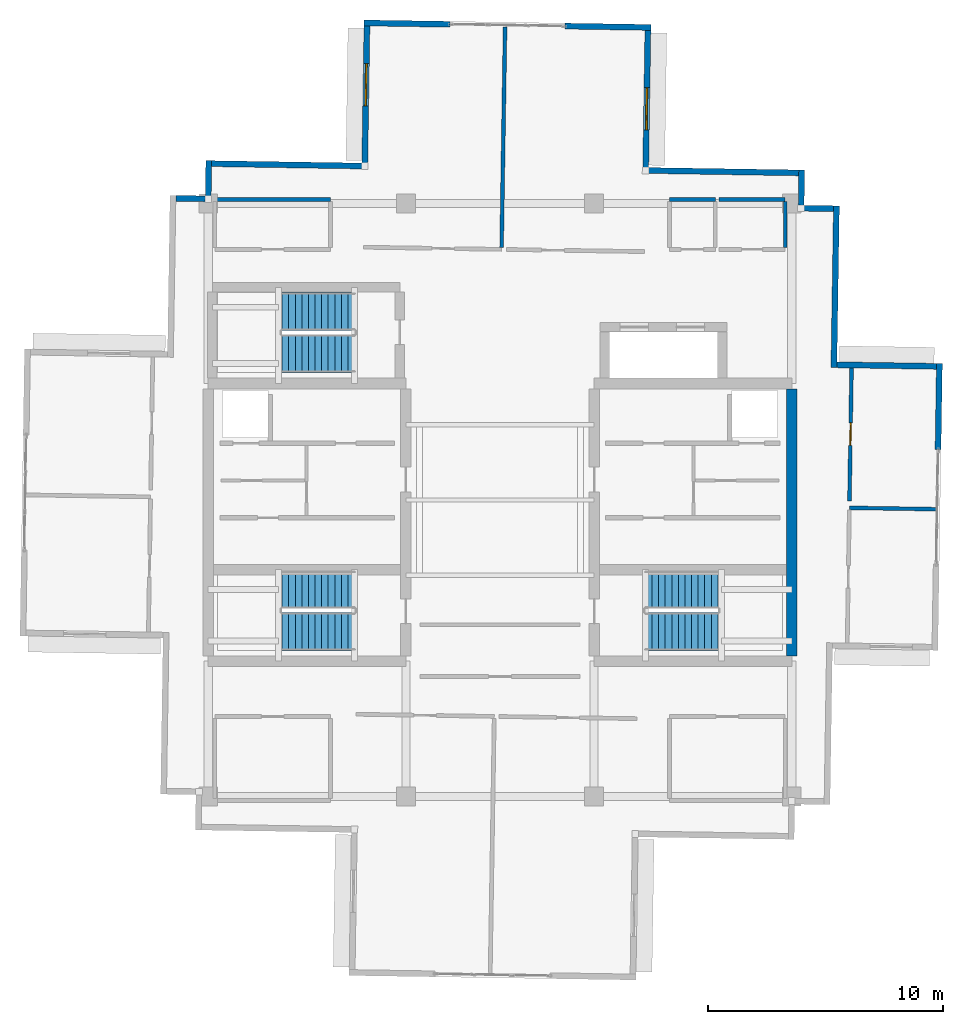
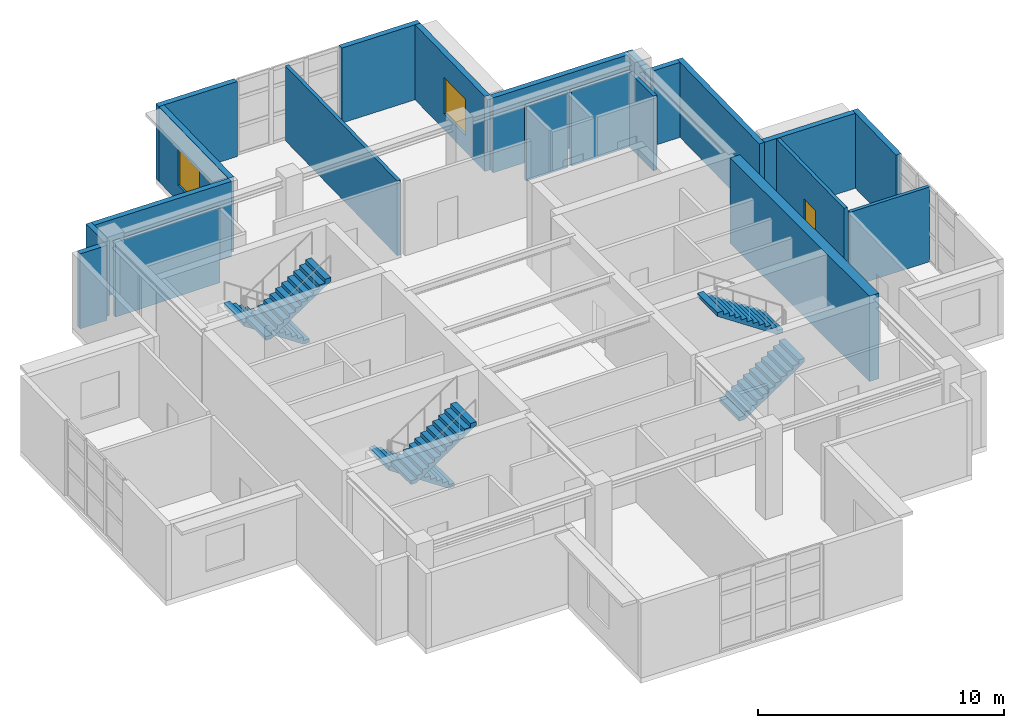
# One storey, part 12 of 15: 21 walls, 6 stair flights, 2 windows, 1 door, 3 openings, 3 elements without a shape of their own.
"""IFC4 building model written with IfcOpenShell, lengths in metres."""

from ifc_helpers import new_model, si_unit, direction, frame, frame_2d, origin, place, context, subcontext, project, spatial, polyline, rectangle, outline, extrude, material, layer, layer_set, type_object, element, fill, aggregate, save


model = new_model("IFC4")

# Units and contexts
model_context = context("Model", 3, precision=1e-05, world=origin(), true_north=direction((0.0, 1.0)))
body_context = subcontext(model_context, "Body", "Model", "MODEL_VIEW")
ifc_project = project(units=[si_unit("LENGTHUNIT", "METRE"), si_unit("AREAUNIT", "SQUARE_METRE"), si_unit("VOLUMEUNIT", "CUBIC_METRE"), si_unit("PLANEANGLEUNIT", "RADIAN"), si_unit("MASSUNIT", "GRAM", prefix="KILO")], contexts=[model_context])

# Site, building, storey
site_placement = place(None, origin())
site = spatial("IfcSite", under=ifc_project, at=site_placement, CompositionType="ELEMENT")
building_placement = place(site_placement, origin())
building = spatial("IfcBuilding", under=site, at=building_placement, Name="Qingluan Cross Belvedere", CompositionType="ELEMENT")
storey_placement = place(building_placement, frame((0.0, 0.0, 312.89990234375)))
storey = spatial("IfcBuildingStorey", under=building, at=storey_placement, Name="L77", CompositionType="ELEMENT", Elevation=312.89990234375)

# Walls
ifc_material_1 = material(Name="Concrete C50", Category="concrete")
ifc_layer_1 = layer(ifc_material_1, 0.449951171875, Name="CoreShearWall_450")
ifc_layer_set_1 = layer_set([ifc_layer_1], Name="Concrete C50")
wall_type_1 = type_object("IfcWallType", Name="CoreShearWall_450", PredefinedType="SHEAR", material=ifc_layer_set_1)
wall_1_placement = place(storey_placement, frame((12.39990234375, -6.6201171875, 0.0), z_axis=(0.0, 0.0, 1.0), x_axis=(0.0, 1.0, 0.0)))
element("IfcWall", 1, at=wall_1_placement, inside=storey, type_object=wall_type_1, Name="Split core E shear wall L77-E", PredefinedType="SHEAR", context=body_context, shape_type="SweptSolid", body=[
    extrude(rectangle(XDim=11.340087890625, YDim=0.449951171875, at=frame_2d((5.669921875, 0.0))), origin(), (0.0, 0.0, 1.0), 4.25),
])
ifc_material_2 = material(Name="Gypsum plasterboard on steel stud acoustic partition", Category="steel")
ifc_layer_2 = layer(ifc_material_2, 0.159912109375, Name="CorridorPartition_160")
ifc_layer_set_2 = layer_set([ifc_layer_2], Name="Gypsum plasterboard on steel stud acoustic partition")
wall_type_2 = type_object("IfcWallType", Name="CorridorPartition_160", PredefinedType="PARTITIONING", material=ifc_layer_set_2)
wall_2_placement = place(storey_placement, frame((0.068603515625, 10.735107421875, 0.0), z_axis=(0.0, 0.0, 1.0), x_axis=(0.015728215456, 0.999876303969, 0.0)))
element("IfcWall", 2, at=wall_2_placement, inside=storey, type_object=wall_type_2, Name="Partition L77:obs_n1:E", PredefinedType="PARTITIONING", context=body_context, shape_type="SweptSolid", body=[
    extrude(rectangle(XDim=9.360107421875, YDim=0.159912109375, at=frame_2d((4.68017578125, 0.0))), origin(), (0.0, 0.0, 1.0), 3.72021484375),
])
wall_3_placement = place(storey_placement, frame((14.8466796875, -0.333251953125, 0.0), z_axis=(0.0, 0.0, 1.0), x_axis=(0.999876606353, -0.015708980461, 0.0)))
element("IfcWall", 3, at=wall_3_placement, inside=storey, type_object=wall_type_2, Name="Partition L77:obs_e1:N", PredefinedType="PARTITIONING", context=body_context, shape_type="SweptSolid", body=[
    extrude(rectangle(XDim=3.72998046875, YDim=0.159912109375, at=frame_2d((1.864990234375, 0.0))), origin(), (0.0, 0.0, 1.0), 3.72021484375),
])

# Wall, opening, door
wall_4_placement = place(storey_placement, frame((14.85107421875, -0.04833984375, 0.0), z_axis=(0.0, 0.0, 1.0), x_axis=(0.01567977253, 0.99987706481, 0.0)))
wall_4 = element("IfcWall", 4, at=wall_4_placement, inside=storey, type_object=wall_type_2, Name="Partition L77:obs_e2:W", PredefinedType="PARTITIONING", context=body_context, shape_type="SweptSolid", body=[
    extrude(rectangle(XDim=5.652099609375, YDim=0.159912109375, at=frame_2d((2.826171875, 0.0))), origin(), (0.0, 0.0, 1.0), 3.72021484375),
])
opening_1_placement = place(wall_4_placement, frame((2.3701171875, 0.0, 0.0)))
opening_1 = element("IfcOpeningElement", 5, at=opening_1_placement, cuts=wall_4, Name="Opening GD-10", PredefinedType="OPENING", context=body_context, shape_type="SweptSolid", body=[
    extrude(rectangle(XDim=0.9599609375, YDim=2.14990234375, at=frame_2d((0.47998046875, 1.074951171875))), frame((0.0, 0.08984375, 0.0), z_axis=(0.0, -1.0, 0.0), x_axis=(1.0, 0.0, 0.0)), (0.0, 0.0, 1.0), 0.179931640625),
])
ifc_material_3 = material(Name="Timber oak fire-rated acoustic guestroom door", Category="wood")
door_type = type_object("IfcDoorType", Name="GuestEntryDoor_FD60", OperationType="NOTDEFINED", PredefinedType="DOOR", material=ifc_material_3)
door_placement = place(opening_1_placement, origin())
door = element("IfcDoor", 6, at=door_placement, inside=storey, type_object=door_type, Name="Observation gift gallery L77 door", OperationType="SINGLE_SWING_LEFT", OverallHeight=2.14990234375, OverallWidth=0.9599609375, PredefinedType="DOOR", context=body_context, shape_type="SweptSolid", body=[
    extrude(rectangle(XDim=0.9599609375, YDim=2.14990234375, at=frame_2d((0.47998046875, 1.074951171875))), frame((0.0, 0.02490234375, 0.0), z_axis=(0.0, -1.0, 0.0), x_axis=(1.0, 0.0, 0.0)), (0.0, 0.0, 1.0), 0.050048828125),
])
fill(opening_1, door)

# Walls
wall_5_placement = place(storey_placement, frame((7.199951171875, 12.77001953125, 0.0), z_axis=(0.0, 0.0, 1.0), x_axis=(1.0, 0.0, 0.0)))
element("IfcWall", 7, at=wall_5_placement, inside=storey, type_object=wall_type_2, Name="Partition L77:crown_wc:N", PredefinedType="PARTITIONING", context=body_context, shape_type="SweptSolid", body=[
    extrude(rectangle(XDim=1.949951171875, YDim=0.159912109375, at=frame_2d((0.97509765625, 0.0))), origin(), (0.0, 0.0, 1.0), 3.72021484375),
])
wall_6_placement = place(storey_placement, frame((9.31005859375, 12.77001953125, 0.0), z_axis=(0.0, 0.0, 1.0), x_axis=(1.0, 0.0, 0.0)))
element("IfcWall", 8, at=wall_6_placement, inside=storey, type_object=wall_type_2, Name="Partition L77:crown_acc:N", PredefinedType="PARTITIONING", context=body_context, shape_type="SweptSolid", body=[
    extrude(rectangle(XDim=2.81005859375, YDim=0.159912109375, at=frame_2d((1.405029296875, 0.0))), origin(), (0.0, 0.0, 1.0), 3.72021484375),
])
wall_7_placement = place(storey_placement, frame((12.1201171875, 10.735107421875, 0.0), z_axis=(0.0, 0.0, 1.0), x_axis=(0.0, 1.0, 0.0)))
element("IfcWall", 9, at=wall_7_placement, inside=storey, type_object=wall_type_2, Name="Partition L77:crown_acc:E", PredefinedType="PARTITIONING", context=body_context, shape_type="SweptSolid", body=[
    extrude(rectangle(XDim=1.949951171875, YDim=0.159912109375, at=frame_2d((0.97509765625, 0.0))), origin(), (0.0, 0.0, 1.0), 3.72021484375),
])
wall_8_placement = place(storey_placement, frame((-12.1201171875, 12.77001953125, 0.0), z_axis=(0.0, 0.0, 1.0), x_axis=(1.0, 0.0, 0.0)))
element("IfcWall", 10, at=wall_8_placement, inside=storey, type_object=wall_type_2, Name="Partition L77:crown_nw:N", PredefinedType="PARTITIONING", context=body_context, shape_type="SweptSolid", body=[
    extrude(rectangle(XDim=4.920166015625, YDim=0.159912109375, at=frame_2d((2.4599609375, 0.0))), origin(), (0.0, 0.0, 1.0), 3.72021484375),
])
ifc_material_4 = material(Name="Precast concrete C45", Category="concrete")
ifc_layer_3 = layer(ifc_material_4, 0.25, Name="PrecastCrownWall_250")
ifc_layer_set_3 = layer_set([ifc_layer_3], Name="Precast concrete C45")
wall_type_3 = type_object("IfcWallType", Name="PrecastCrownWall_250", PredefinedType="STANDARD", material=ifc_layer_set_3)
wall_9_placement = place(storey_placement, frame((18.54638671875, 5.679443359375, 0.0), z_axis=(0.0, 0.0, 1.0), x_axis=(-0.999876765821, 0.015698827078, 0.0)))
element("IfcWall", 11, at=wall_9_placement, inside=storey, type_object=wall_type_3, Name="Facade wall L77-EB", PredefinedType="STANDARD", context=body_context, shape_type="SweptSolid", body=[
    extrude(rectangle(XDim=4.22998046875, YDim=0.25, at=frame_2d((2.114990234375, 0.0))), origin(), (0.0, 0.0, 1.0), 3.72998046875),
])
wall_10_placement = place(storey_placement, frame((18.615966796875, 2.145751953125, 0.0), z_axis=(0.0, 0.0, 1.0), x_axis=(0.015687747418, 0.999876939719, 0.0)))
element("IfcWall", 12, at=wall_10_placement, inside=storey, type_object=wall_type_3, Name="Terrace portal jamb wall L77-E2", PredefinedType="STANDARD", context=body_context, shape_type="SweptSolid", body=[
    extrude(rectangle(XDim=3.6572265625, YDim=0.25, at=frame_2d((1.82861328125, 0.0))), origin(), (0.0, 0.0, 1.0), 3.72998046875),
])

# Wall, opening, window
wall_11_placement = place(storey_placement, frame((6.192626953125, 14.12939453125, 0.0), z_axis=(0.0, 0.0, 1.0), x_axis=(0.01570355402, 0.999876691593, 0.0)))
wall_11 = element("IfcWall", 13, at=wall_11_placement, inside=storey, type_object=wall_type_3, Name="Facade wall L77-NA", PredefinedType="STANDARD", context=body_context, shape_type="SweptSolid", body=[
    extrude(rectangle(XDim=5.830078125, YDim=0.25, at=frame_2d((2.9150390625, 0.0))), origin(), (0.0, 0.0, 1.0), 3.72998046875),
])
opening_2_placement = place(wall_11_placement, frame((1.60009765625, 0.0, 0.800048828125)))
opening_2 = element("IfcOpeningElement", 14, at=opening_2_placement, cuts=wall_11, Name="Opening W-05", PredefinedType="OPENING", context=body_context, shape_type="SweptSolid", body=[
    extrude(rectangle(XDim=1.800048828125, YDim=1.800048828125, at=frame_2d((0.89990234375, 0.89990234375))), frame((0.0, 0.135009765625, 0.0), z_axis=(0.0, -1.0, 0.0), x_axis=(1.0, 0.0, 0.0)), (0.0, 0.0, 1.0), 0.27001953125),
])
ifc_material_5 = material(Name="Thermally broken triple Low-E glass in aluminium frame", Category="aluminium")
window_type = type_object("IfcWindowType", Name="CrownBelvedereWin_1800x1800", PartitioningType="SINGLE_PANEL", PredefinedType="WINDOW", material=ifc_material_5)
window_1_placement = place(opening_2_placement, origin())
window_1 = element("IfcWindow", 15, at=window_1_placement, inside=storey, type_object=window_type, Name="Ribbon window L77-NA-1", OverallHeight=1.800048828125, OverallWidth=1.800048828125, PartitioningType="SINGLE_PANEL", PredefinedType="WINDOW", context=body_context, shape_type="SweptSolid", body=[
    extrude(rectangle(XDim=1.800048828125, YDim=1.800048828125, at=frame_2d((0.89990234375, 0.89990234375))), frame((0.0, 0.030029296875, 0.0), z_axis=(0.0, -1.0, 0.0), x_axis=(1.0, 0.0, 0.0)), (0.0, 0.0, 1.0), 0.06005859375),
])
fill(opening_2, window_1)

wall_12_placement = place(storey_placement, frame((-5.654296875, 20.146240234375, 0.0), z_axis=(0.0, 0.0, 1.0), x_axis=(-0.01570355402, -0.999876691593, 0.0)))
wall_12 = element("IfcWall", 16, at=wall_12_placement, inside=storey, type_object=wall_type_3, Name="Facade wall L77-NB", PredefinedType="STANDARD", context=body_context, shape_type="SweptSolid", body=[
    extrude(rectangle(XDim=5.830078125, YDim=0.25, at=frame_2d((2.9150390625, 0.0))), origin(), (0.0, 0.0, 1.0), 3.72998046875),
])
opening_3_placement = place(wall_12_placement, frame((1.60009765625, 0.0, 0.800048828125)))
opening_3 = element("IfcOpeningElement", 17, at=opening_3_placement, cuts=wall_12, Name="Opening W-05", PredefinedType="OPENING", context=body_context, shape_type="SweptSolid", body=[
    extrude(rectangle(XDim=1.800048828125, YDim=1.800048828125, at=frame_2d((0.89990234375, 0.89990234375))), frame((0.0, 0.135009765625, 0.0), z_axis=(0.0, -1.0, 0.0), x_axis=(1.0, 0.0, 0.0)), (0.0, 0.0, 1.0), 0.27001953125),
])
window_2_placement = place(opening_3_placement, origin())
window_2 = element("IfcWindow", 18, at=window_2_placement, inside=storey, type_object=window_type, Name="Ribbon window L77-NB-1", OverallHeight=1.800048828125, OverallWidth=1.800048828125, PartitioningType="SINGLE_PANEL", PredefinedType="WINDOW", context=body_context, shape_type="SweptSolid", body=[
    extrude(rectangle(XDim=1.800048828125, YDim=1.800048828125, at=frame_2d((0.89990234375, 0.89990234375))), frame((0.0, 0.030029296875, 0.0), z_axis=(0.0, -1.0, 0.0), x_axis=(1.0, 0.0, 0.0)), (0.0, 0.0, 1.0), 0.06005859375),
])
fill(opening_3, window_2)

# Walls
for number, where, z_axis, x_axis, name in (
    (19, (6.4111328125, 20.081787109375, 0.0), (0.0, 0.0, 1.0), (-0.999876923288, 0.015688794617, 0.0), "Terrace portal jamb wall L77-N1"),
    (20, (-2.120849609375, 20.2158203125, 0.0), (0.0, 0.0, 1.0), (-0.999876923288, 0.015688794617, 0.0), "Terrace portal jamb wall L77-N2"),
):
    element("IfcWall", number, at=place(storey_placement, frame(where, z_axis=z_axis, x_axis=x_axis)), inside=storey, type_object=wall_type_3, Name=name, PredefinedType="STANDARD", context=body_context, shape_type="SweptSolid", body=[
        extrude(rectangle(XDim=3.656982421875, YDim=0.25, at=frame_2d((1.82861328125, 0.0))), origin(), (0.0, 0.0, 1.0), 3.72998046875),
    ])
wall_13_placement = place(storey_placement, frame((14.190185546875, 5.622802734375, 0.0), z_axis=(0.0, 0.0, 1.0), x_axis=(0.015684623239, 0.999876988731, 0.0)))
element("IfcWall", 21, at=wall_13_placement, inside=storey, type_object=wall_type_3, Name="Corner wall L77-NE1", PredefinedType="STANDARD", context=body_context, shape_type="SweptSolid", body=[
    extrude(rectangle(XDim=6.8798828125, YDim=0.25, at=frame_2d((3.43994140625, 0.0))), origin(), (0.0, 0.0, 1.0), 3.72998046875),
])
wall_14_placement = place(storey_placement, frame((14.171142578125, 12.37890625, 0.0), z_axis=(0.0, 0.0, 1.0), x_axis=(-0.999874833463, 0.015821422448, 0.0)))
element("IfcWall", 22, at=wall_14_placement, inside=storey, type_object=wall_type_3, Name="Corner wall L77-NE2", PredefinedType="STANDARD", context=body_context, shape_type="SweptSolid", body=[
    extrude(rectangle(XDim=1.25, YDim=0.25, at=frame_2d((0.625, 0.0))), origin(), (0.0, 0.0, 1.0), 3.72998046875),
])
wall_15_placement = place(storey_placement, frame((12.79833984375, 12.525390625, 0.0), z_axis=(0.0, 0.0, 1.0), x_axis=(0.015785793208, 0.999875396603, 0.0)))
element("IfcWall", 23, at=wall_15_placement, inside=storey, type_object=wall_type_3, Name="Corner wall L77-NE3", PredefinedType="STANDARD", context=body_context, shape_type="SweptSolid", body=[
    extrude(rectangle(XDim=1.500244140625, YDim=0.25, at=frame_2d((0.75, 0.0))), origin(), (0.0, 0.0, 1.0), 3.72998046875),
])
wall_16_placement = place(storey_placement, frame((12.69482421875, 13.90234375, 0.0), z_axis=(0.0, 0.0, 1.0), x_axis=(-0.999876913067, 0.015689445993, 0.0)))
element("IfcWall", 24, at=wall_16_placement, inside=storey, type_object=wall_type_3, Name="Corner wall L77-NE4", PredefinedType="STANDARD", context=body_context, shape_type="SweptSolid", body=[
    extrude(rectangle(XDim=6.3798828125, YDim=0.25, at=frame_2d((3.18994140625, 0.0))), origin(), (0.0, 0.0, 1.0), 3.72998046875),
])
wall_17_placement = place(storey_placement, frame((-13.775390625, 12.818115234375, 0.0), z_axis=(0.0, 0.0, 1.0), x_axis=(0.999874882342, -0.0158183331, 0.0)))
element("IfcWall", 25, at=wall_17_placement, inside=storey, type_object=wall_type_3, Name="Corner wall L77-NW2", PredefinedType="STANDARD", context=body_context, shape_type="SweptSolid", body=[
    extrude(rectangle(XDim=1.250244140625, YDim=0.25, at=frame_2d((0.625, 0.0))), origin(), (0.0, 0.0, 1.0), 3.72998046875),
])
wall_18_placement = place(storey_placement, frame((-12.398681640625, 12.92138671875, 0.0), z_axis=(0.0, 0.0, 1.0), x_axis=(0.015788362288, 0.99987535604, 0.0)))
element("IfcWall", 26, at=wall_18_placement, inside=storey, type_object=wall_type_3, Name="Corner wall L77-NW3", PredefinedType="STANDARD", context=body_context, shape_type="SweptSolid", body=[
    extrude(rectangle(XDim=1.5, YDim=0.25, at=frame_2d((0.75, 0.0))), origin(), (0.0, 0.0, 1.0), 3.72998046875),
])
wall_19_placement = place(storey_placement, frame((-12.251953125, 14.294189453125, 0.0), z_axis=(0.0, 0.0, 1.0), x_axis=(0.999876913067, -0.015689445993, 0.0)))
element("IfcWall", 27, at=wall_19_placement, inside=storey, type_object=wall_type_3, Name="Corner wall L77-NW4", PredefinedType="STANDARD", context=body_context, shape_type="SweptSolid", body=[
    extrude(rectangle(XDim=6.3798828125, YDim=0.25, at=frame_2d((3.18994140625, 0.0))), origin(), (0.0, 0.0, 1.0), 3.72998046875),
])

# Stair, stair flights
ifc_material_6 = material(Name="Concrete C40", Category="concrete")
stair_type = type_object("IfcStairType", Name="CoreDoglegStair_1620", PredefinedType="HALF_TURN_STAIR", material=ifc_material_6)
stair_1_placement = place(storey_placement, origin())
stair_1 = element("IfcStair", 28, at=stair_1_placement, inside=storey, type_object=stair_type, Name="L77 ST1", PredefinedType="HALF_TURN_STAIR")
ifc_material_7 = material(Name="Concrete C40", Category="concrete")
ifc_layer_4 = layer(ifc_material_7, 0.179931640625, Name="StairFlight_RC180")
ifc_layer_set_4 = layer_set([ifc_layer_4], Name="Concrete C40")
stair_flight_type = type_object("IfcStairFlightType", Name="StairFlight_RC180", PredefinedType="STRAIGHT", material=ifc_layer_set_4)
stair_flight_1_placement = place(storey_placement, frame((-6.179931640625, -3.81005859375, 0.0), z_axis=(0.0, 0.0, 1.0), x_axis=(-1.0, 0.0, 0.0)))
stair_flight_1 = element("IfcStairFlight", 29, at=stair_flight_1_placement, type_object=stair_flight_type, Name="ST1 flight 1", NumberOfRisers=12, NumberOfTreads=11, PredefinedType="STRAIGHT", RiserHeight=0.1875, TreadLength=0.28, context=body_context, shape_type="SweptSolid", body=[
    extrude(outline(polyline([(0.0, 0.0), (0.0, 0.1875), (0.280029296875, 0.1875), (0.280029296875, 0.375), (0.56005859375, 0.375), (0.56005859375, 0.5625), (0.840087890625, 0.5625), (0.840087890625, 0.75), (1.1201171875, 0.75), (1.1201171875, 0.9375), (1.39990234375, 0.9375), (1.39990234375, 1.125), (1.679931640625, 1.125), (1.679931640625, 1.3125), (1.9599609375, 1.3125), (1.9599609375, 1.5), (2.239990234375, 1.5), (2.239990234375, 1.6875), (2.52001953125, 1.6875), (2.52001953125, 1.875), (2.800048828125, 1.875), (2.800048828125, 2.0625), (3.080078125, 2.0625), (3.080078125, 2.25), (3.080078125, 1.882080078125), (0.26953125, 0.0), (0.0, 0.0)])), frame((0.0, 0.81005859375, 0.0), z_axis=(0.0, -1.0, 0.0), x_axis=(1.0, 0.0, 0.0)), (0.0, 0.0, 1.0), 1.6201171875),
])
stair_flight_2_placement = place(storey_placement, frame((-9.260009765625, -5.590087890625, 2.25), z_axis=(0.0, 0.0, 1.0), x_axis=(1.0, 0.0, 0.0)))
stair_flight_2 = element("IfcStairFlight", 30, at=stair_flight_2_placement, type_object=stair_flight_type, Name="ST1 flight 2", NumberOfRisers=12, NumberOfTreads=11, PredefinedType="STRAIGHT", RiserHeight=0.1875, TreadLength=0.28, context=body_context, shape_type="SweptSolid", body=[
    extrude(outline(polyline([(0.0, 0.0), (0.0, 0.1875), (0.280029296875, 0.1875), (0.280029296875, 0.375), (0.56005859375, 0.375), (0.56005859375, 0.5625), (0.840087890625, 0.5625), (0.840087890625, 0.75), (1.1201171875, 0.75), (1.1201171875, 0.9375), (1.39990234375, 0.9375), (1.39990234375, 1.125), (1.679931640625, 1.125), (1.679931640625, 1.3125), (1.9599609375, 1.3125), (1.9599609375, 1.5), (2.239990234375, 1.5), (2.239990234375, 1.6875), (2.52001953125, 1.6875), (2.52001953125, 1.875), (2.800048828125, 1.875), (2.800048828125, 2.0625), (3.080078125, 2.0625), (3.080078125, 2.25), (3.080078125, 1.882080078125), (0.26953125, 0.0), (0.0, 0.0)])), frame((0.0, 0.81005859375, 0.0), z_axis=(0.0, -1.0, 0.0), x_axis=(1.0, 0.0, 0.0)), (0.0, 0.0, 1.0), 1.6201171875),
])
aggregate(stair_1, [stair_flight_1, stair_flight_2])

stair_2_placement = place(storey_placement, origin())
stair_2 = element("IfcStair", 31, at=stair_2_placement, inside=storey, type_object=stair_type, Name="L77 ST2", PredefinedType="HALF_TURN_STAIR")
stair_flight_3_placement = place(storey_placement, frame((6.179931640625, -5.590087890625, 0.0), z_axis=(0.0, 0.0, 1.0), x_axis=(1.0, 0.0, 0.0)))
stair_flight_3 = element("IfcStairFlight", 32, at=stair_flight_3_placement, type_object=stair_flight_type, Name="ST2 flight 1", NumberOfRisers=12, NumberOfTreads=11, PredefinedType="STRAIGHT", RiserHeight=0.1875, TreadLength=0.28, context=body_context, shape_type="SweptSolid", body=[
    extrude(outline(polyline([(0.0, 0.0), (0.0, 0.1875), (0.280029296875, 0.1875), (0.280029296875, 0.375), (0.56005859375, 0.375), (0.56005859375, 0.5625), (0.840087890625, 0.5625), (0.840087890625, 0.75), (1.1201171875, 0.75), (1.1201171875, 0.9375), (1.39990234375, 0.9375), (1.39990234375, 1.125), (1.679931640625, 1.125), (1.679931640625, 1.3125), (1.9599609375, 1.3125), (1.9599609375, 1.5), (2.239990234375, 1.5), (2.239990234375, 1.6875), (2.52001953125, 1.6875), (2.52001953125, 1.875), (2.800048828125, 1.875), (2.800048828125, 2.0625), (3.080078125, 2.0625), (3.080078125, 2.25), (3.080078125, 1.882080078125), (0.26953125, 0.0), (0.0, 0.0)])), frame((0.0, 0.81005859375, 0.0), z_axis=(0.0, -1.0, 0.0), x_axis=(1.0, 0.0, 0.0)), (0.0, 0.0, 1.0), 1.6201171875),
])
stair_flight_4_placement = place(storey_placement, frame((9.260009765625, -3.81005859375, 2.25), z_axis=(0.0, 0.0, 1.0), x_axis=(-1.0, 0.0, 0.0)))
stair_flight_4 = element("IfcStairFlight", 33, at=stair_flight_4_placement, type_object=stair_flight_type, Name="ST2 flight 2", NumberOfRisers=12, NumberOfTreads=11, PredefinedType="STRAIGHT", RiserHeight=0.1875, TreadLength=0.28, context=body_context, shape_type="SweptSolid", body=[
    extrude(outline(polyline([(0.0, 0.0), (0.0, 0.1875), (0.280029296875, 0.1875), (0.280029296875, 0.375), (0.56005859375, 0.375), (0.56005859375, 0.5625), (0.840087890625, 0.5625), (0.840087890625, 0.75), (1.1201171875, 0.75), (1.1201171875, 0.9375), (1.39990234375, 0.9375), (1.39990234375, 1.125), (1.679931640625, 1.125), (1.679931640625, 1.3125), (1.9599609375, 1.3125), (1.9599609375, 1.5), (2.239990234375, 1.5), (2.239990234375, 1.6875), (2.52001953125, 1.6875), (2.52001953125, 1.875), (2.800048828125, 1.875), (2.800048828125, 2.0625), (3.080078125, 2.0625), (3.080078125, 2.25), (3.080078125, 1.882080078125), (0.26953125, 0.0), (0.0, 0.0)])), frame((0.0, 0.81005859375, 0.0), z_axis=(0.0, -1.0, 0.0), x_axis=(1.0, 0.0, 0.0)), (0.0, 0.0, 1.0), 1.6201171875),
])
aggregate(stair_2, [stair_flight_3, stair_flight_4])

stair_3_placement = place(storey_placement, origin())
stair_3 = element("IfcStair", 34, at=stair_3_placement, inside=storey, type_object=stair_type, Name="L77 ST3", PredefinedType="HALF_TURN_STAIR")
stair_flight_5_placement = place(storey_placement, frame((-6.179931640625, 8.010009765625, 0.0), z_axis=(0.0, 0.0, 1.0), x_axis=(-1.0, 0.0, 0.0)))
stair_flight_5 = element("IfcStairFlight", 35, at=stair_flight_5_placement, type_object=stair_flight_type, Name="ST3 flight 1", NumberOfRisers=12, NumberOfTreads=11, PredefinedType="STRAIGHT", RiserHeight=0.1875, TreadLength=0.28, context=body_context, shape_type="SweptSolid", body=[
    extrude(outline(polyline([(0.0, 0.0), (0.0, 0.1875), (0.280029296875, 0.1875), (0.280029296875, 0.375), (0.56005859375, 0.375), (0.56005859375, 0.5625), (0.840087890625, 0.5625), (0.840087890625, 0.75), (1.1201171875, 0.75), (1.1201171875, 0.9375), (1.39990234375, 0.9375), (1.39990234375, 1.125), (1.679931640625, 1.125), (1.679931640625, 1.3125), (1.9599609375, 1.3125), (1.9599609375, 1.5), (2.239990234375, 1.5), (2.239990234375, 1.6875), (2.52001953125, 1.6875), (2.52001953125, 1.875), (2.800048828125, 1.875), (2.800048828125, 2.0625), (3.080078125, 2.0625), (3.080078125, 2.25), (3.080078125, 1.882080078125), (0.26953125, 0.0), (0.0, 0.0)])), frame((0.0, 0.81005859375, 0.0), z_axis=(0.0, -1.0, 0.0), x_axis=(1.0, 0.0, 0.0)), (0.0, 0.0, 1.0), 1.6201171875),
])
stair_flight_6_placement = place(storey_placement, frame((-9.260009765625, 6.22998046875, 2.25), z_axis=(0.0, 0.0, 1.0), x_axis=(1.0, 0.0, 0.0)))
stair_flight_6 = element("IfcStairFlight", 36, at=stair_flight_6_placement, type_object=stair_flight_type, Name="ST3 flight 2", NumberOfRisers=12, NumberOfTreads=11, PredefinedType="STRAIGHT", RiserHeight=0.1875, TreadLength=0.28, context=body_context, shape_type="SweptSolid", body=[
    extrude(outline(polyline([(0.0, 0.0), (0.0, 0.1875), (0.280029296875, 0.1875), (0.280029296875, 0.375), (0.56005859375, 0.375), (0.56005859375, 0.5625), (0.840087890625, 0.5625), (0.840087890625, 0.75), (1.1201171875, 0.75), (1.1201171875, 0.9375), (1.39990234375, 0.9375), (1.39990234375, 1.125), (1.679931640625, 1.125), (1.679931640625, 1.3125), (1.9599609375, 1.3125), (1.9599609375, 1.5), (2.239990234375, 1.5), (2.239990234375, 1.6875), (2.52001953125, 1.6875), (2.52001953125, 1.875), (2.800048828125, 1.875), (2.800048828125, 2.0625), (3.080078125, 2.0625), (3.080078125, 2.25), (3.080078125, 1.882080078125), (0.26953125, 0.0), (0.0, 0.0)])), frame((0.0, 0.81005859375, 0.0), z_axis=(0.0, -1.0, 0.0), x_axis=(1.0, 0.0, 0.0)), (0.0, 0.0, 1.0), 1.6201171875),
])
aggregate(stair_3, [stair_flight_5, stair_flight_6])

save(model, "model.ifc")
